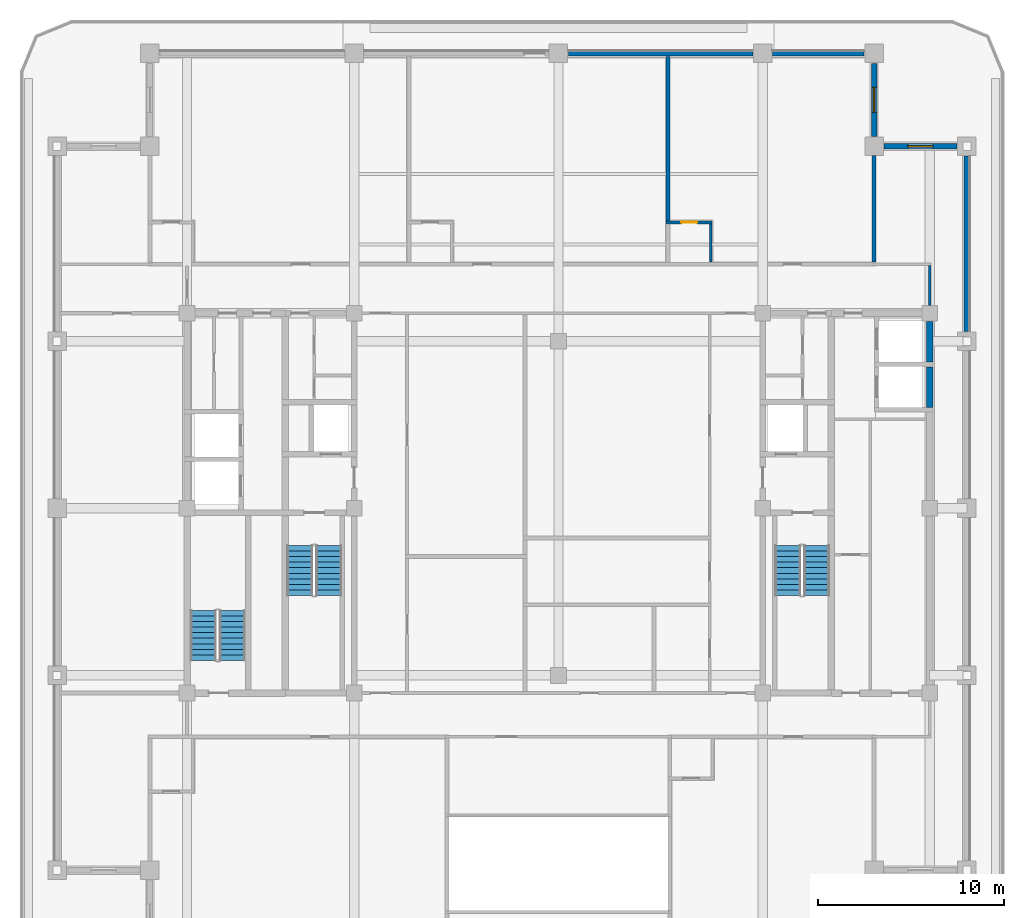
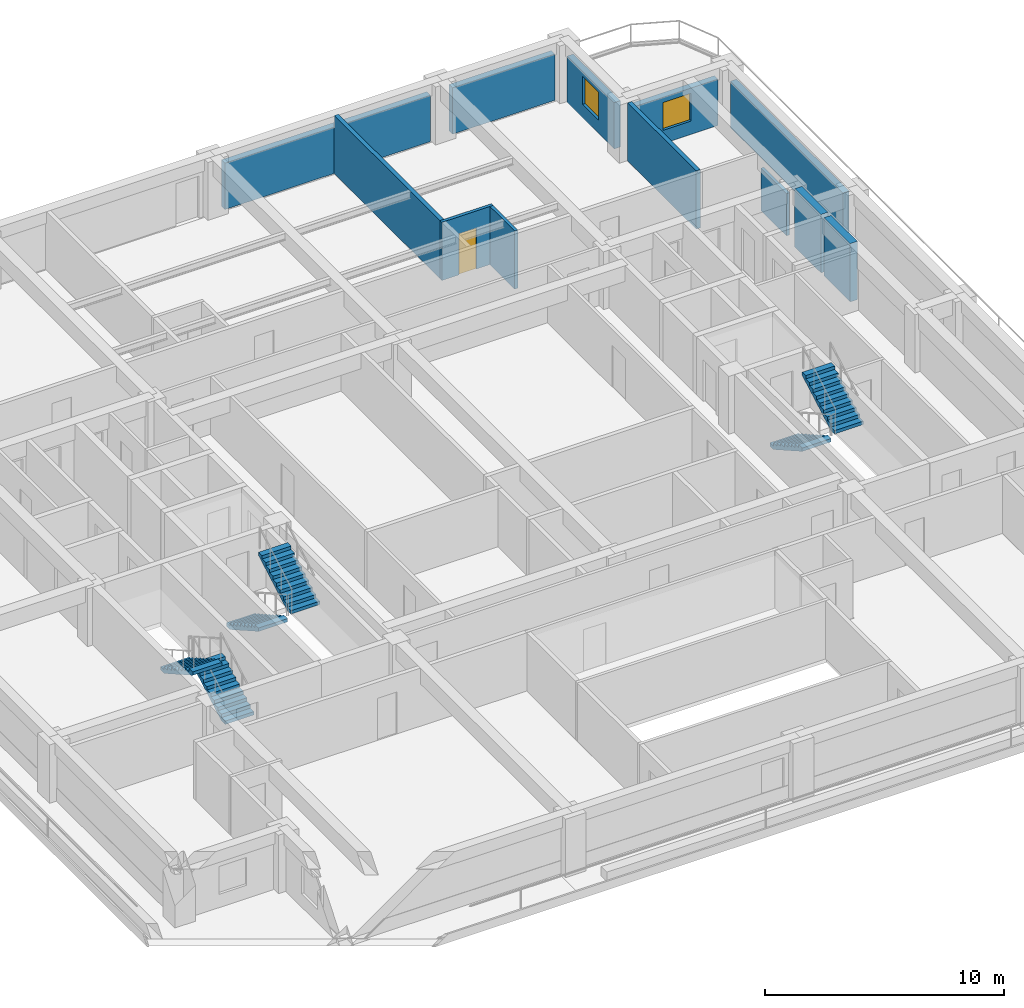
# One storey, part 6 of 13: 12 walls, 6 stair flights, 2 windows, 1 door, 3 openings, 3 elements without a shape of their own.
"""IFC4 building model written with IfcOpenShell, lengths in metres."""

from ifc_helpers import new_model, si_unit, direction, frame, frame_2d, origin, place, context, subcontext, project, spatial, polyline, rectangle, outline, extrude, material, layer, layer_set, type_object, element, fill, aggregate, save


model = new_model("IFC4")

# Units and contexts
model_context = context("Model", 3, precision=1e-05, world=origin(), true_north=direction((0.0, 1.0)))
body_context = subcontext(model_context, "Body", "Model", "MODEL_VIEW")
ifc_project = project(units=[si_unit("LENGTHUNIT", "METRE"), si_unit("AREAUNIT", "SQUARE_METRE"), si_unit("VOLUMEUNIT", "CUBIC_METRE"), si_unit("PLANEANGLEUNIT", "RADIAN"), si_unit("MASSUNIT", "GRAM", prefix="KILO")], contexts=[model_context])

# Site, building, storey
site_placement = place(None, origin())
site = spatial("IfcSite", under=ifc_project, at=site_placement, CompositionType="ELEMENT")
building_placement = place(site_placement, origin())
building = spatial("IfcBuilding", under=site, at=building_placement, Name="Zulmaris Gate Convention Tower", CompositionType="ELEMENT")
storey_placement = place(building_placement, frame((0.0, 0.0, 218.659912109375)))
storey = spatial("IfcBuildingStorey", under=building, at=storey_placement, Name="L57", CompositionType="ELEMENT", Elevation=218.659912109375)

# Walls
ifc_material_1 = material(Name="Concrete C55/67", Category="concrete")
ifc_layer_1 = layer(ifc_material_1, 0.35009765625, Name="Concrete C55/67")
ifc_layer_set_1 = layer_set([ifc_layer_1], Name="Concrete C55/67")
wall_type_1 = type_object("IfcWallType", Name="CORE-350", PredefinedType="SHEAR", material=ifc_layer_set_1)
wall_1_placement = place(storey_placement, frame((20.0, 5.427001953125, 0.0), z_axis=(0.0, 0.0, 1.0), x_axis=(0.0, 1.0, 0.0)))
element("IfcWall", 1, at=wall_1_placement, inside=storey, type_object=wall_type_1, Name="WL-L57-074", PredefinedType="SHEAR", context=body_context, shape_type="SweptSolid", body=[
    extrude(rectangle(XDim=2.196044921875, YDim=0.35009765625, at=frame_2d((1.09814453125, 0.0))), origin(), (0.0, 0.0, 1.0), 2.97509765625),
])
wall_2_placement = place(storey_placement, frame((20.0, 7.876953125, 0.0), z_axis=(0.0, 0.0, 1.0), x_axis=(0.0, 1.0, 0.0)))
element("IfcWall", 2, at=wall_2_placement, inside=storey, type_object=wall_type_1, Name="WL-L57-075", PredefinedType="SHEAR", context=body_context, shape_type="SweptSolid", body=[
    extrude(rectangle(XDim=2.194091796875, YDim=0.35009765625, at=frame_2d((1.09716796875, 0.0))), origin(), (0.0, 0.0, 1.0), 2.97509765625),
])

# Wall, opening, door
ifc_material_2 = material(Name="Gypsum Metal Stud Partition")
ifc_layer_2 = layer(ifc_material_2, 0.14990234375, Name="Gypsum Metal Stud Partition")
ifc_layer_set_2 = layer_set([ifc_layer_2], Name="Gypsum Metal Stud Partition")
wall_type_2 = type_object("IfcWallType", Name="PART-150", PredefinedType="PARTITIONING", material=ifc_layer_set_2)
wall_3_placement = place(storey_placement, frame((5.800048828125, 15.39990234375, 0.0), z_axis=(0.0, 0.0, 1.0), x_axis=(1.0, 0.0, 0.0)))
wall_3 = element("IfcWall", 3, at=wall_3_placement, inside=storey, type_object=wall_type_2, Name="WL-L57-043", PredefinedType="PARTITIONING", context=body_context, shape_type="SweptSolid", body=[
    extrude(rectangle(XDim=2.474853515625, YDim=0.14990234375, at=frame_2d((1.2373046875, 0.0))), origin(), (0.0, 0.0, 1.0), 2.97509765625),
])
opening_1_placement = place(wall_3_placement, frame((0.824951171875, 0.0, 0.0)))
opening_1 = element("IfcOpeningElement", 4, at=opening_1_placement, cuts=wall_3, Name="Opening D-17", PredefinedType="OPENING", context=body_context, shape_type="SweptSolid", body=[
    extrude(rectangle(XDim=0.85009765625, YDim=2.10009765625, at=frame_2d((0.425048828125, 1.050048828125))), frame((0.0, 0.0849609375, 0.0), z_axis=(0.0, -1.0, 0.0), x_axis=(1.0, 0.0, 0.0)), (0.0, 0.0, 1.0), 0.169921875),
])
ifc_material_3 = material(Name="Moisture-Resistant Hardwood Timber", Category="wood")
door_type = type_object("IfcDoorType", Name="DR-850", OperationType="NOTDEFINED", PredefinedType="DOOR", material=ifc_material_3)
door_placement = place(opening_1_placement, origin())
door = element("IfcDoor", 5, at=door_placement, inside=storey, type_object=door_type, Name="L57 En-Suite Door 34", OperationType="SINGLE_SWING_LEFT", OverallHeight=2.10009765625, OverallWidth=0.85009765625, PredefinedType="DOOR", context=body_context, shape_type="SweptSolid", body=[
    extrude(rectangle(XDim=0.85009765625, YDim=2.10009765625, at=frame_2d((0.425048828125, 1.050048828125))), frame((0.0, 0.02490234375, 0.0), z_axis=(0.0, -1.0, 0.0), x_axis=(1.0, 0.0, 0.0)), (0.0, 0.0, 1.0), 0.050048828125),
])
fill(opening_1, door)

# Walls
wall_4_placement = place(storey_placement, frame((8.199951171875, 13.2529296875, 0.0), z_axis=(0.0, 0.0, 1.0), x_axis=(0.0, 1.0, 0.0)))
element("IfcWall", 6, at=wall_4_placement, inside=storey, type_object=wall_type_2, Name="WL-L57-110", PredefinedType="PARTITIONING", context=body_context, shape_type="SweptSolid", body=[
    extrude(rectangle(XDim=2.069091796875, YDim=0.14990234375, at=frame_2d((1.03466796875, 0.0))), origin(), (0.0, 0.0, 1.0), 2.97509765625),
])
wall_5_placement = place(storey_placement, frame((20.0, 10.930908203125, 0.0), z_axis=(0.0, 0.0, 1.0), x_axis=(0.0, 1.0, 0.0)))
element("IfcWall", 7, at=wall_5_placement, inside=storey, type_object=wall_type_2, Name="WL-L57-119", PredefinedType="PARTITIONING", context=body_context, shape_type="SweptSolid", body=[
    extrude(rectangle(XDim=2.14111328125, YDim=0.14990234375, at=frame_2d((1.070556640625, 0.0))), origin(), (0.0, 0.0, 1.0), 2.167236328125),
])
ifc_material_4 = material(Name="Autoclaved Aerated Concrete Block and Plasterboard", Category="concrete")
ifc_layer_3 = layer(ifc_material_4, 0.199951171875, Name="Autoclaved Aerated Concrete Block and Plasterboard")
ifc_layer_set_3 = layer_set([ifc_layer_3], Name="Autoclaved Aerated Concrete Block and Plasterboard")
wall_type_3 = type_object("IfcWallType", Name="PART-200", PredefinedType="PARTITIONING", material=ifc_layer_set_3)
wall_6_placement = place(storey_placement, frame((5.89990234375, 15.47802734375, 0.0), z_axis=(0.0, 0.0, 1.0), x_axis=(0.0, 1.0, 0.0)))
element("IfcWall", 8, at=wall_6_placement, inside=storey, type_object=wall_type_3, Name="WL-L57-102", PredefinedType="PARTITIONING", context=body_context, shape_type="SweptSolid", body=[
    extrude(rectangle(XDim=8.85693359375, YDim=0.199951171875, at=frame_2d((4.428466796875, 0.0))), origin(), (0.0, 0.0, 1.0), 2.97509765625),
])
wall_7_placement = place(storey_placement, frame((17.0, 13.2529296875, 0.0), z_axis=(0.0, 0.0, 1.0), x_axis=(0.0, 1.0, 0.0)))
element("IfcWall", 9, at=wall_7_placement, inside=storey, type_object=wall_type_3, Name="WL-L57-117", PredefinedType="PARTITIONING", context=body_context, shape_type="SweptSolid", body=[
    extrude(rectangle(XDim=5.740966796875, YDim=0.199951171875, at=frame_2d((2.87060546875, 0.0))), origin(), (0.0, 0.0, 1.0), 2.97509765625),
])

# Wall, opening, window
ifc_material_5 = material(Name="Precast concrete C40/50", Category="concrete")
ifc_layer_4 = layer(ifc_material_5, 0.300048828125, Name="Precast concrete C40/50")
ifc_layer_set_4 = layer_set([ifc_layer_4], Name="Precast concrete C40/50")
wall_type_4 = type_object("IfcWallType", Name="PRECAST-PIER-300", PredefinedType="STANDARD", material=ifc_layer_set_4)
wall_8_placement = place(storey_placement, frame((21.469970703125, 19.5, 0.0), z_axis=(0.0, 0.0, 1.0), x_axis=(-1.0, 0.0, 0.0)))
wall_8 = element("IfcWall", 10, at=wall_8_placement, inside=storey, type_object=wall_type_4, Name="EW-L57-NOTCH-NE1_0", PredefinedType="STANDARD", context=body_context, shape_type="SweptSolid", body=[
    extrude(rectangle(XDim=3.93994140625, YDim=0.300048828125, at=frame_2d((1.969970703125, 0.0))), origin(), (0.0, 0.0, 1.0), 2.3671875),
])
opening_2_placement = place(wall_8_placement, frame((1.294921875, 0.0, 0.679931640625)))
opening_2 = element("IfcOpeningElement", 11, at=opening_2_placement, cuts=wall_8, Name="Opening W-10", PredefinedType="OPENING", context=body_context, shape_type="SweptSolid", body=[
    extrude(rectangle(XDim=1.35009765625, YDim=1.419921875, at=frame_2d((0.675048828125, 0.7099609375))), frame((0.0, 0.16015625, 0.0), z_axis=(0.0, -1.0, 0.0), x_axis=(1.0, 0.0, 0.0)), (0.0, 0.0, 1.0), 0.320068359375),
])
ifc_material_6 = material(Name="Low-E Laminated Double Glazing in Aluminium Frame", Category="aluminium")
window_type = type_object("IfcWindowType", Name="WIN-1350x2000", PartitioningType="SINGLE_PANEL", PredefinedType="WINDOW", material=ifc_material_6)
window_1_placement = place(opening_2_placement, origin())
window_1 = element("IfcWindow", 12, at=window_1_placement, inside=storey, type_object=window_type, Name="WN-EW-L57-NOTCH-NE1_0", OverallHeight=1.419921875, OverallWidth=1.35009765625, PartitioningType="SINGLE_PANEL", PredefinedType="WINDOW", context=body_context, shape_type="SweptSolid", body=[
    extrude(rectangle(XDim=1.35009765625, YDim=1.419921875, at=frame_2d((0.675048828125, 0.7099609375))), frame((0.0, 0.030029296875, 0.0), z_axis=(0.0, -1.0, 0.0), x_axis=(1.0, 0.0, 0.0)), (0.0, 0.0, 1.0), 0.06005859375),
])
fill(opening_2, window_1)

wall_9_placement = place(storey_placement, frame((17.0, 20.030029296875, 0.0), z_axis=(0.0, 0.0, 1.0), x_axis=(0.0, 1.0, 0.0)))
wall_9 = element("IfcWall", 13, at=wall_9_placement, inside=storey, type_object=wall_type_4, Name="EW-L57-NOTCH-NE2_0", PredefinedType="STANDARD", context=body_context, shape_type="SweptSolid", body=[
    extrude(rectangle(XDim=3.93994140625, YDim=0.300048828125, at=frame_2d((1.969970703125, 0.0))), origin(), (0.0, 0.0, 1.0), 2.3671875),
])
opening_3_placement = place(wall_9_placement, frame((1.294921875, 0.0, 0.679931640625)))
opening_3 = element("IfcOpeningElement", 14, at=opening_3_placement, cuts=wall_9, Name="Opening W-10", PredefinedType="OPENING", context=body_context, shape_type="SweptSolid", body=[
    extrude(rectangle(XDim=1.35009765625, YDim=1.419921875, at=frame_2d((0.675048828125, 0.7099609375))), frame((0.0, 0.16015625, 0.0), z_axis=(0.0, -1.0, 0.0), x_axis=(1.0, 0.0, 0.0)), (0.0, 0.0, 1.0), 0.320068359375),
])
window_2_placement = place(opening_3_placement, origin())
window_2 = element("IfcWindow", 15, at=window_2_placement, inside=storey, type_object=window_type, Name="WN-EW-L57-NOTCH-NE2_0", OverallHeight=1.419921875, OverallWidth=1.35009765625, PartitioningType="SINGLE_PANEL", PredefinedType="WINDOW", context=body_context, shape_type="SweptSolid", body=[
    extrude(rectangle(XDim=1.35009765625, YDim=1.419921875, at=frame_2d((0.675048828125, 0.7099609375))), frame((0.0, 0.030029296875, 0.0), z_axis=(0.0, -1.0, 0.0), x_axis=(1.0, 0.0, 0.0)), (0.0, 0.0, 1.0), 0.06005859375),
])
fill(opening_3, window_2)

# Walls
wall_10_placement = place(storey_placement, frame((10.469970703125, 24.5, 0.0), z_axis=(0.0, 0.0, 1.0), x_axis=(-1.0, 0.0, 0.0)))
element("IfcWall", 16, at=wall_10_placement, inside=storey, type_object=wall_type_4, Name="EW-L57-N-2_0", PredefinedType="STANDARD", context=body_context, shape_type="SweptSolid", body=[
    extrude(rectangle(XDim=9.93994140625, YDim=0.300048828125, at=frame_2d((4.969970703125, 0.0))), origin(), (0.0, 0.0, 1.0), 2.3671875),
])
wall_11_placement = place(storey_placement, frame((16.469970703125, 24.5, 0.0), z_axis=(0.0, 0.0, 1.0), x_axis=(-1.0, 0.0, 0.0)))
element("IfcWall", 17, at=wall_11_placement, inside=storey, type_object=wall_type_4, Name="EW-L57-N-3_0", PredefinedType="STANDARD", context=body_context, shape_type="SweptSolid", body=[
    extrude(rectangle(XDim=4.93994140625, YDim=0.300048828125, at=frame_2d((2.469970703125, 0.0))), origin(), (0.0, 0.0, 1.0), 2.3671875),
])
wall_12_placement = place(storey_placement, frame((22.0, 9.530029296875, 0.0), z_axis=(0.0, 0.0, 1.0), x_axis=(0.0, 1.0, 0.0)))
element("IfcWall", 18, at=wall_12_placement, inside=storey, type_object=wall_type_4, Name="EW-L57-E-3_0", PredefinedType="STANDARD", context=body_context, shape_type="SweptSolid", body=[
    extrude(rectangle(XDim=9.43994140625, YDim=0.300048828125, at=frame_2d((4.719970703125, 0.0))), origin(), (0.0, 0.0, 1.0), 2.3671875),
])

# Stair, stair flights
ifc_material_7 = material(Name="Concrete C45/55", Category="concrete")
stair_type = type_object("IfcStairType", Name="ST-CORE-DOGLEG", PredefinedType="HALF_TURN_STAIR", material=ifc_material_7)
stair_1_placement = place(storey_placement, origin())
stair_1 = element("IfcStair", 19, at=stair_1_placement, inside=storey, type_object=stair_type, Name="L57 Core Exit Stair ST-1", PredefinedType="HALF_TURN_STAIR")
ifc_layer_5 = layer(ifc_material_7, 0.14990234375, Name="Concrete C45/55")
ifc_layer_set_5 = layer_set([ifc_layer_5], Name="Concrete C45/55")
stair_flight_type = type_object("IfcStairFlightType", Name="STF-RC150", PredefinedType="STRAIGHT", material=ifc_layer_set_5)
stair_flight_1_placement = place(storey_placement, frame((-13.919921875, -2.0, 0.0), z_axis=(0.0, 0.0, 1.0), x_axis=(0.0, -1.0, 0.0)))
stair_flight_1 = element("IfcStairFlight", 20, at=stair_flight_1_placement, type_object=stair_flight_type, Name="ST-1 flight 1", NumberOfRisers=10, NumberOfTreads=9, PredefinedType="STRAIGHT", RiserHeight=0.17001, TreadLength=0.3, context=body_context, shape_type="SweptSolid", body=[
    extrude(outline(polyline([(0.0, 0.0), (0.0, 0.169921875), (0.300048828125, 0.169921875), (0.300048828125, 0.340087890625), (0.60009765625, 0.340087890625), (0.60009765625, 0.510009765625), (0.89990234375, 0.510009765625), (0.89990234375, 0.679931640625), (1.199951171875, 0.679931640625), (1.199951171875, 0.85009765625), (1.5, 0.85009765625), (1.5, 1.02001953125), (1.800048828125, 1.02001953125), (1.800048828125, 1.190185546875), (2.10009765625, 1.190185546875), (2.10009765625, 1.360107421875), (2.39990234375, 1.360107421875), (2.39990234375, 1.530029296875), (2.699951171875, 1.530029296875), (2.699951171875, 1.7001953125), (2.699951171875, 1.35791015625), (0.303955078125, 0.0), (0.0, 0.0)])), frame((0.0, 0.699951171875, 0.0), z_axis=(0.0, -1.0, 0.0), x_axis=(1.0, 0.0, 0.0)), (0.0, 0.0, 1.0), 1.39990234375),
])
stair_flight_2_placement = place(storey_placement, frame((-12.360107421875, -4.699951171875, 1.7001953125), z_axis=(0.0, 0.0, 1.0), x_axis=(0.0, 1.0, 0.0)))
stair_flight_2 = element("IfcStairFlight", 21, at=stair_flight_2_placement, type_object=stair_flight_type, Name="ST-1 flight 2", NumberOfRisers=10, NumberOfTreads=9, PredefinedType="STRAIGHT", RiserHeight=0.17001, TreadLength=0.3, context=body_context, shape_type="SweptSolid", body=[
    extrude(outline(polyline([(0.0, 0.0), (0.0, 0.169921875), (0.300048828125, 0.169921875), (0.300048828125, 0.340087890625), (0.60009765625, 0.340087890625), (0.60009765625, 0.510009765625), (0.89990234375, 0.510009765625), (0.89990234375, 0.679931640625), (1.199951171875, 0.679931640625), (1.199951171875, 0.85009765625), (1.5, 0.85009765625), (1.5, 1.02001953125), (1.800048828125, 1.02001953125), (1.800048828125, 1.190185546875), (2.10009765625, 1.190185546875), (2.10009765625, 1.360107421875), (2.39990234375, 1.360107421875), (2.39990234375, 1.530029296875), (2.699951171875, 1.530029296875), (2.699951171875, 1.7001953125), (2.699951171875, 1.35791015625), (0.303955078125, 0.0), (0.0, 0.0)])), frame((0.0, 0.699951171875, 0.0), z_axis=(0.0, -1.0, 0.0), x_axis=(1.0, 0.0, 0.0)), (0.0, 0.0, 1.0), 1.39990234375),
])
aggregate(stair_1, [stair_flight_1, stair_flight_2])

stair_2_placement = place(storey_placement, origin())
stair_2 = element("IfcStair", 22, at=stair_2_placement, inside=storey, type_object=stair_type, Name="L57 Core Exit Stair ST-2", PredefinedType="HALF_TURN_STAIR")
stair_flight_3_placement = place(storey_placement, frame((12.360107421875, -2.0, 0.0), z_axis=(0.0, 0.0, 1.0), x_axis=(0.0, -1.0, 0.0)))
stair_flight_3 = element("IfcStairFlight", 23, at=stair_flight_3_placement, type_object=stair_flight_type, Name="ST-2 flight 1", NumberOfRisers=10, NumberOfTreads=9, PredefinedType="STRAIGHT", RiserHeight=0.17001, TreadLength=0.3, context=body_context, shape_type="SweptSolid", body=[
    extrude(outline(polyline([(0.0, 0.0), (0.0, 0.169921875), (0.300048828125, 0.169921875), (0.300048828125, 0.340087890625), (0.60009765625, 0.340087890625), (0.60009765625, 0.510009765625), (0.89990234375, 0.510009765625), (0.89990234375, 0.679931640625), (1.199951171875, 0.679931640625), (1.199951171875, 0.85009765625), (1.5, 0.85009765625), (1.5, 1.02001953125), (1.800048828125, 1.02001953125), (1.800048828125, 1.190185546875), (2.10009765625, 1.190185546875), (2.10009765625, 1.360107421875), (2.39990234375, 1.360107421875), (2.39990234375, 1.530029296875), (2.699951171875, 1.530029296875), (2.699951171875, 1.7001953125), (2.699951171875, 1.35791015625), (0.303955078125, 0.0), (0.0, 0.0)])), frame((0.0, 0.699951171875, 0.0), z_axis=(0.0, -1.0, 0.0), x_axis=(1.0, 0.0, 0.0)), (0.0, 0.0, 1.0), 1.39990234375),
])
stair_flight_4_placement = place(storey_placement, frame((13.919921875, -4.699951171875, 1.7001953125), z_axis=(0.0, 0.0, 1.0), x_axis=(0.0, 1.0, 0.0)))
stair_flight_4 = element("IfcStairFlight", 24, at=stair_flight_4_placement, type_object=stair_flight_type, Name="ST-2 flight 2", NumberOfRisers=10, NumberOfTreads=9, PredefinedType="STRAIGHT", RiserHeight=0.17001, TreadLength=0.3, context=body_context, shape_type="SweptSolid", body=[
    extrude(outline(polyline([(0.0, 0.0), (0.0, 0.169921875), (0.300048828125, 0.169921875), (0.300048828125, 0.340087890625), (0.60009765625, 0.340087890625), (0.60009765625, 0.510009765625), (0.89990234375, 0.510009765625), (0.89990234375, 0.679931640625), (1.199951171875, 0.679931640625), (1.199951171875, 0.85009765625), (1.5, 0.85009765625), (1.5, 1.02001953125), (1.800048828125, 1.02001953125), (1.800048828125, 1.190185546875), (2.10009765625, 1.190185546875), (2.10009765625, 1.360107421875), (2.39990234375, 1.360107421875), (2.39990234375, 1.530029296875), (2.699951171875, 1.530029296875), (2.699951171875, 1.7001953125), (2.699951171875, 1.35791015625), (0.303955078125, 0.0), (0.0, 0.0)])), frame((0.0, 0.699951171875, 0.0), z_axis=(0.0, -1.0, 0.0), x_axis=(1.0, 0.0, 0.0)), (0.0, 0.0, 1.0), 1.39990234375),
])
aggregate(stair_2, [stair_flight_3, stair_flight_4])

stair_3_placement = place(storey_placement, origin())
stair_3 = element("IfcStair", 25, at=stair_3_placement, inside=storey, type_object=stair_type, Name="L57 Core Exit Stair ST-3", PredefinedType="HALF_TURN_STAIR")
stair_flight_5_placement = place(storey_placement, frame((-17.56005859375, -8.199951171875, 0.0), z_axis=(0.0, 0.0, 1.0), x_axis=(0.0, 1.0, 0.0)))
stair_flight_5 = element("IfcStairFlight", 26, at=stair_flight_5_placement, type_object=stair_flight_type, Name="ST-3 flight 1", NumberOfRisers=10, NumberOfTreads=9, PredefinedType="STRAIGHT", RiserHeight=0.17001, TreadLength=0.3, context=body_context, shape_type="SweptSolid", body=[
    extrude(outline(polyline([(0.0, 0.0), (0.0, 0.169921875), (0.300048828125, 0.169921875), (0.300048828125, 0.340087890625), (0.60009765625, 0.340087890625), (0.60009765625, 0.510009765625), (0.89990234375, 0.510009765625), (0.89990234375, 0.679931640625), (1.199951171875, 0.679931640625), (1.199951171875, 0.85009765625), (1.5, 0.85009765625), (1.5, 1.02001953125), (1.800048828125, 1.02001953125), (1.800048828125, 1.190185546875), (2.10009765625, 1.190185546875), (2.10009765625, 1.360107421875), (2.39990234375, 1.360107421875), (2.39990234375, 1.530029296875), (2.699951171875, 1.530029296875), (2.699951171875, 1.7001953125), (2.699951171875, 1.35791015625), (0.303955078125, 0.0), (0.0, 0.0)])), frame((0.0, 0.699951171875, 0.0), z_axis=(0.0, -1.0, 0.0), x_axis=(1.0, 0.0, 0.0)), (0.0, 0.0, 1.0), 1.39990234375),
])
stair_flight_6_placement = place(storey_placement, frame((-19.1201171875, -5.5, 1.7001953125), z_axis=(0.0, 0.0, 1.0), x_axis=(0.0, -1.0, 0.0)))
stair_flight_6 = element("IfcStairFlight", 27, at=stair_flight_6_placement, type_object=stair_flight_type, Name="ST-3 flight 2", NumberOfRisers=10, NumberOfTreads=9, PredefinedType="STRAIGHT", RiserHeight=0.17001, TreadLength=0.3, context=body_context, shape_type="SweptSolid", body=[
    extrude(outline(polyline([(0.0, 0.0), (0.0, 0.169921875), (0.300048828125, 0.169921875), (0.300048828125, 0.340087890625), (0.60009765625, 0.340087890625), (0.60009765625, 0.510009765625), (0.89990234375, 0.510009765625), (0.89990234375, 0.679931640625), (1.199951171875, 0.679931640625), (1.199951171875, 0.85009765625), (1.5, 0.85009765625), (1.5, 1.02001953125), (1.800048828125, 1.02001953125), (1.800048828125, 1.190185546875), (2.10009765625, 1.190185546875), (2.10009765625, 1.360107421875), (2.39990234375, 1.360107421875), (2.39990234375, 1.530029296875), (2.699951171875, 1.530029296875), (2.699951171875, 1.7001953125), (2.699951171875, 1.35791015625), (0.303955078125, 0.0), (0.0, 0.0)])), frame((0.0, 0.699951171875, 0.0), z_axis=(0.0, -1.0, 0.0), x_axis=(1.0, 0.0, 0.0)), (0.0, 0.0, 1.0), 1.39990234375),
])
aggregate(stair_3, [stair_flight_5, stair_flight_6])

save(model, "model.ifc")
